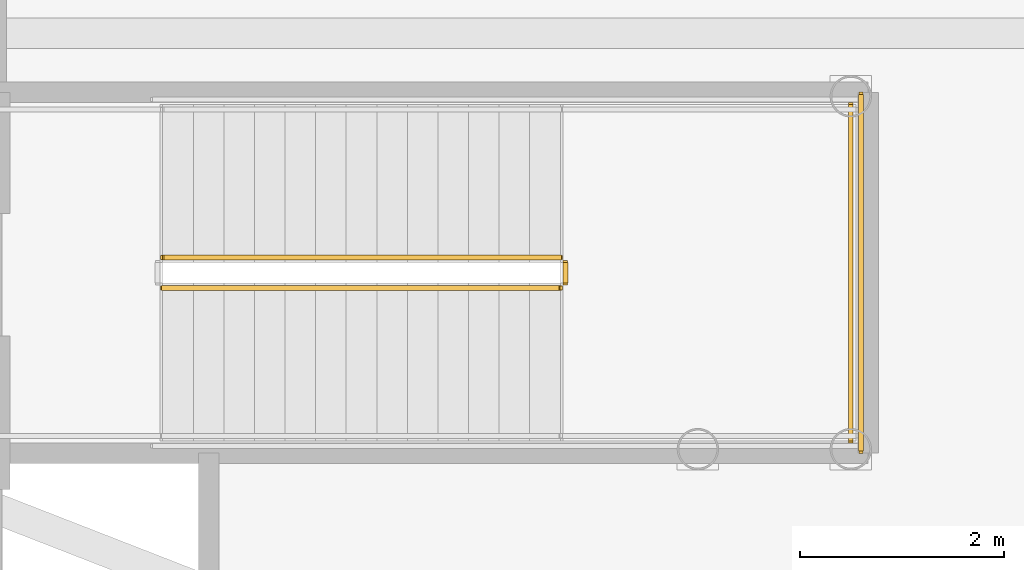
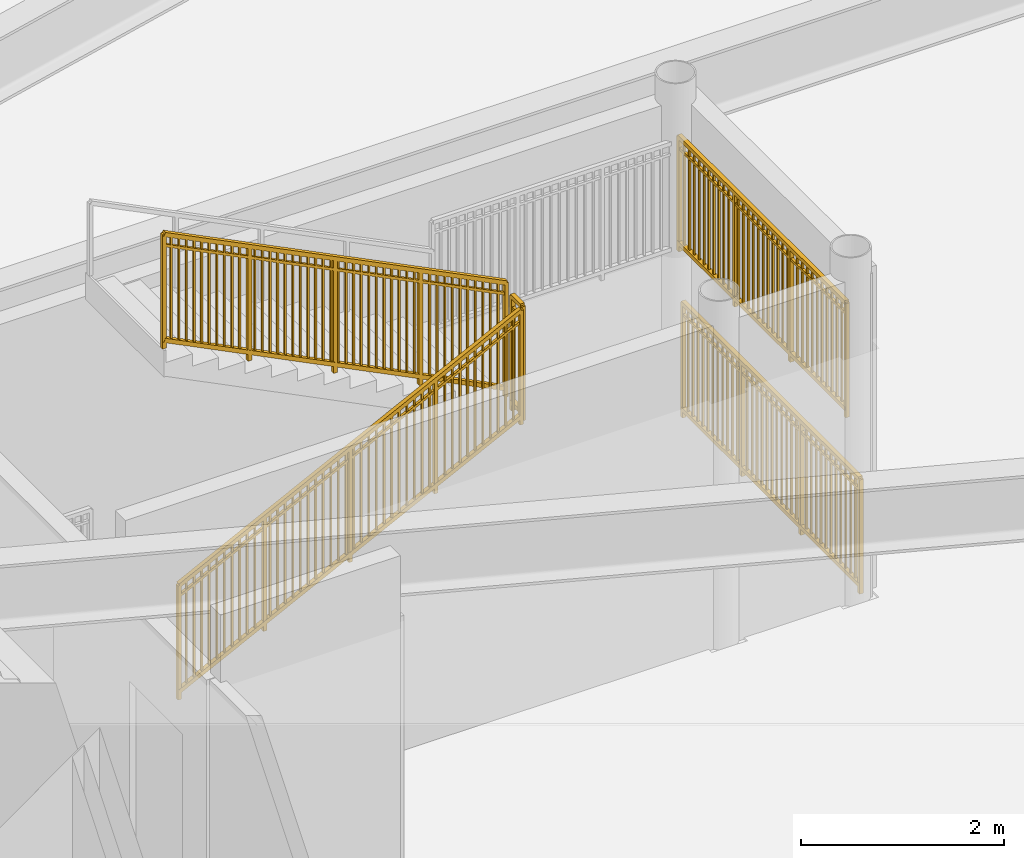
# One storey, part 28 of 30: 5 railings.
"""IFC4 building model written with IfcOpenShell, lengths in metres."""

from ifc_helpers import new_model, si_unit, direction, frame, origin, origin_2d, place, context, subcontext, project, spatial, rectangle, extrude, source, transform, mapped, material, type_object, element, save


model = new_model("IFC4")

# Units and contexts
model_context = context("Model", 3, precision=1e-05, world=origin(), true_north=direction((0.0, 1.0)))
body_context = subcontext(model_context, "Body", "Model", "MODEL_VIEW")
ifc_project = project(units=[si_unit("LENGTHUNIT", "METRE"), si_unit("AREAUNIT", "SQUARE_METRE"), si_unit("VOLUMEUNIT", "CUBIC_METRE"), si_unit("PLANEANGLEUNIT", "RADIAN"), si_unit("MASSUNIT", "GRAM", prefix="KILO")], contexts=[model_context])

# Site, building, storey
site_placement = place(None, origin())
site = spatial("IfcSite", under=ifc_project, at=site_placement, CompositionType="ELEMENT")
building_placement = place(site_placement, origin())
building = spatial("IfcBuilding", under=site, at=building_placement, Name="Linh Dai School and Residence Tower", CompositionType="ELEMENT")
storey_placement = place(building_placement, frame((0.0, 0.0, 10.199951171875)))
storey = spatial("IfcBuildingStorey", under=building, at=storey_placement, Name="L02", CompositionType="ELEMENT", Elevation=10.199951171875)

# Railings
ifc_material = material(Name="Structural Steel S355JR", Category="steel")
railing_type = type_object("IfcRailingType", Name="RL-ST-GUARD-1400", PredefinedType="GUARDRAIL", material=ifc_material)
shared_shape_1 = source(origin(), body_context, "Body", "SweptSolid", [
    extrude(rectangle(XDim=0.048095703125, YDim=0.048095703125, at=origin_2d()), frame((0.0, 0.0, 1.3759765625), z_axis=(0.894427191, 0.0, 0.4472135955), x_axis=(0.0, 1.0, 0.0)), (0.0, 0.0, 1.0), 4.360107421875),
    extrude(rectangle(XDim=0.048095703125, YDim=0.048095703125, at=origin_2d()), frame((0.0, 0.0, 0.10009765625), z_axis=(0.894427191, 0.0, 0.4472135955), x_axis=(0.0, 1.0, 0.0)), (0.0, 0.0, 1.0), 4.360107421875),
    extrude(rectangle(XDim=0.030029296875, YDim=0.030029296875, at=origin_2d()), frame((0.0, 0.0, 1.239990234375), z_axis=(0.894427191, 0.0, 0.4472135955), x_axis=(0.0, 1.0, 0.0)), (0.0, 0.0, 1.0), 4.360107421875),
    extrude(rectangle(XDim=0.02001953125, YDim=0.02001953125, at=origin_2d()), frame((0.086669921875, 0.0, 0.143310546875)), (0.0, 0.0, 1.0), 1.251708984375),
    extrude(rectangle(XDim=0.02001953125, YDim=0.02001953125, at=origin_2d()), frame((0.17333984375, 0.0, 0.186767578125)), (0.0, 0.0, 1.0), 1.251708984375),
    extrude(rectangle(XDim=0.02001953125, YDim=0.02001953125, at=origin_2d()), frame((0.260009765625, 0.0, 0.22998046875)), (0.0, 0.0, 1.0), 1.251708984375),
    extrude(rectangle(XDim=0.02001953125, YDim=0.02001953125, at=origin_2d()), frame((0.3466796875, 0.0, 0.2734375)), (0.0, 0.0, 1.0), 1.251708984375),
    extrude(rectangle(XDim=0.02001953125, YDim=0.02001953125, at=origin_2d()), frame((0.433349609375, 0.0, 0.316650390625)), (0.0, 0.0, 1.0), 1.251708984375),
    extrude(rectangle(XDim=0.02001953125, YDim=0.02001953125, at=origin_2d()), frame((0.52001953125, 0.0, 0.360107421875)), (0.0, 0.0, 1.0), 1.251708984375),
    extrude(rectangle(XDim=0.02001953125, YDim=0.02001953125, at=origin_2d()), frame((0.606689453125, 0.0, 0.4033203125)), (0.0, 0.0, 1.0), 1.251708984375),
    extrude(rectangle(XDim=0.02001953125, YDim=0.02001953125, at=origin_2d()), frame((0.693359375, 0.0, 0.44677734375)), (0.0, 0.0, 1.0), 1.251708984375),
    extrude(rectangle(XDim=0.02001953125, YDim=0.02001953125, at=origin_2d()), frame((0.780029296875, 0.0, 0.489990234375)), (0.0, 0.0, 1.0), 1.251708984375),
    extrude(rectangle(XDim=0.02001953125, YDim=0.02001953125, at=origin_2d()), frame((0.86669921875, 0.0, 0.533447265625)), (0.0, 0.0, 1.0), 1.251708984375),
    extrude(rectangle(XDim=0.02001953125, YDim=0.02001953125, at=origin_2d()), frame((1.0400390625, 0.0, 0.6201171875)), (0.0, 0.0, 1.0), 1.251708984375),
    extrude(rectangle(XDim=0.02001953125, YDim=0.02001953125, at=origin_2d()), frame((1.126708984375, 0.0, 0.663330078125)), (0.0, 0.0, 1.0), 1.251708984375),
    extrude(rectangle(XDim=0.02001953125, YDim=0.02001953125, at=origin_2d()), frame((1.21337890625, 0.0, 0.706787109375)), (0.0, 0.0, 1.0), 1.251708984375),
    extrude(rectangle(XDim=0.02001953125, YDim=0.02001953125, at=origin_2d()), frame((1.300048828125, 0.0, 0.75)), (0.0, 0.0, 1.0), 1.251708984375),
    extrude(rectangle(XDim=0.02001953125, YDim=0.02001953125, at=origin_2d()), frame((1.38671875, 0.0, 0.79345703125)), (0.0, 0.0, 1.0), 1.251708984375),
    extrude(rectangle(XDim=0.02001953125, YDim=0.02001953125, at=origin_2d()), frame((1.473388671875, 0.0, 0.836669921875)), (0.0, 0.0, 1.0), 1.251708984375),
    extrude(rectangle(XDim=0.02001953125, YDim=0.02001953125, at=origin_2d()), frame((1.56005859375, 0.0, 0.880126953125)), (0.0, 0.0, 1.0), 1.251708984375),
    extrude(rectangle(XDim=0.02001953125, YDim=0.02001953125, at=origin_2d()), frame((1.646728515625, 0.0, 0.92333984375)), (0.0, 0.0, 1.0), 1.251708984375),
    extrude(rectangle(XDim=0.02001953125, YDim=0.02001953125, at=origin_2d()), frame((1.7333984375, 0.0, 0.966796875)), (0.0, 0.0, 1.0), 1.251708984375),
    extrude(rectangle(XDim=0.02001953125, YDim=0.02001953125, at=origin_2d()), frame((1.820068359375, 0.0, 1.010009765625)), (0.0, 0.0, 1.0), 1.251708984375),
    extrude(rectangle(XDim=0.02001953125, YDim=0.02001953125, at=origin_2d()), frame((1.90673828125, 0.0, 1.053466796875)), (0.0, 0.0, 1.0), 1.251708984375),
    extrude(rectangle(XDim=0.02001953125, YDim=0.02001953125, at=origin_2d()), frame((1.9931640625, 0.0, 1.0966796875)), (0.0, 0.0, 1.0), 1.251708984375),
    extrude(rectangle(XDim=0.02001953125, YDim=0.02001953125, at=origin_2d()), frame((2.079833984375, 0.0, 1.14013671875)), (0.0, 0.0, 1.0), 1.251708984375),
    extrude(rectangle(XDim=0.02001953125, YDim=0.02001953125, at=origin_2d()), frame((2.16650390625, 0.0, 1.183349609375)), (0.0, 0.0, 1.0), 1.251708984375),
    extrude(rectangle(XDim=0.02001953125, YDim=0.02001953125, at=origin_2d()), frame((2.253173828125, 0.0, 1.226806640625)), (0.0, 0.0, 1.0), 1.251708984375),
    extrude(rectangle(XDim=0.02001953125, YDim=0.02001953125, at=origin_2d()), frame((2.33984375, 0.0, 1.27001953125)), (0.0, 0.0, 1.0), 1.251708984375),
    extrude(rectangle(XDim=0.02001953125, YDim=0.02001953125, at=origin_2d()), frame((2.426513671875, 0.0, 1.3134765625)), (0.0, 0.0, 1.0), 1.251708984375),
    extrude(rectangle(XDim=0.02001953125, YDim=0.02001953125, at=origin_2d()), frame((2.51318359375, 0.0, 1.356689453125)), (0.0, 0.0, 1.0), 1.251708984375),
    extrude(rectangle(XDim=0.02001953125, YDim=0.02001953125, at=origin_2d()), frame((2.599853515625, 0.0, 1.400146484375)), (0.0, 0.0, 1.0), 1.251708984375),
    extrude(rectangle(XDim=0.02001953125, YDim=0.02001953125, at=origin_2d()), frame((2.6865234375, 0.0, 1.443359375)), (0.0, 0.0, 1.0), 1.251708984375),
    extrude(rectangle(XDim=0.02001953125, YDim=0.02001953125, at=origin_2d()), frame((2.773193359375, 0.0, 1.48681640625)), (0.0, 0.0, 1.0), 1.251708984375),
    extrude(rectangle(XDim=0.02001953125, YDim=0.02001953125, at=origin_2d()), frame((2.85986328125, 0.0, 1.530029296875)), (0.0, 0.0, 1.0), 1.251708984375),
    extrude(rectangle(XDim=0.02001953125, YDim=0.02001953125, at=origin_2d()), frame((3.033203125, 0.0, 1.61669921875)), (0.0, 0.0, 1.0), 1.251708984375),
    extrude(rectangle(XDim=0.02001953125, YDim=0.02001953125, at=origin_2d()), frame((3.119873046875, 0.0, 1.66015625)), (0.0, 0.0, 1.0), 1.251708984375),
    extrude(rectangle(XDim=0.02001953125, YDim=0.02001953125, at=origin_2d()), frame((3.20654296875, 0.0, 1.703369140625)), (0.0, 0.0, 1.0), 1.251708984375),
    extrude(rectangle(XDim=0.02001953125, YDim=0.02001953125, at=origin_2d()), frame((3.293212890625, 0.0, 1.746826171875)), (0.0, 0.0, 1.0), 1.251708984375),
    extrude(rectangle(XDim=0.02001953125, YDim=0.02001953125, at=origin_2d()), frame((3.3798828125, 0.0, 1.7900390625)), (0.0, 0.0, 1.0), 1.251708984375),
    extrude(rectangle(XDim=0.02001953125, YDim=0.02001953125, at=origin_2d()), frame((3.466552734375, 0.0, 1.83349609375)), (0.0, 0.0, 1.0), 1.251708984375),
    extrude(rectangle(XDim=0.02001953125, YDim=0.02001953125, at=origin_2d()), frame((3.55322265625, 0.0, 1.876708984375)), (0.0, 0.0, 1.0), 1.251708984375),
    extrude(rectangle(XDim=0.02001953125, YDim=0.02001953125, at=origin_2d()), frame((3.639892578125, 0.0, 1.920166015625)), (0.0, 0.0, 1.0), 1.251708984375),
    extrude(rectangle(XDim=0.02001953125, YDim=0.02001953125, at=origin_2d()), frame((3.7265625, 0.0, 1.96337890625)), (0.0, 0.0, 1.0), 1.251708984375),
    extrude(rectangle(XDim=0.02001953125, YDim=0.02001953125, at=origin_2d()), frame((3.813232421875, 0.0, 2.0068359375)), (0.0, 0.0, 1.0), 1.251708984375),
    extrude(rectangle(XDim=0.0419921875, YDim=0.0419921875, at=origin_2d()), origin(), (0.0, 0.0, 1.0), 1.3759765625),
    extrude(rectangle(XDim=0.0419921875, YDim=0.0419921875, at=origin_2d()), frame((0.97509765625, 0.0, 0.487548828125)), (0.0, 0.0, 1.0), 1.3759765625),
    extrude(rectangle(XDim=0.0419921875, YDim=0.0419921875, at=origin_2d()), frame((1.949951171875, 0.0, 0.97509765625)), (0.0, 0.0, 1.0), 1.3759765625),
    extrude(rectangle(XDim=0.0419921875, YDim=0.0419921875, at=origin_2d()), frame((2.9248046875, 0.0, 1.46240234375)), (0.0, 0.0, 1.0), 1.3759765625),
    extrude(rectangle(XDim=0.0419921875, YDim=0.0419921875, at=origin_2d()), frame((3.89990234375, 0.0, 1.949951171875)), (0.0, 0.0, 1.0), 1.3759765625),
])
railing_1_placement = place(storey_placement, frame((49.60009765625, 24.5, 0.150146484375)))
element("IfcRailing", 1, at=railing_1_placement, inside=storey, type_object=railing_type, Name="L02 STS2 stair guard 1", PredefinedType="GUARDRAIL", context=body_context, shape_type="MappedRepresentation", body=[
    mapped(shared_shape_1, transform((0.0, 0.0, 0.0), x_axis=(1.0, 0.0, 0.0), y_axis=(0.0, 1.0, 0.0), z_axis=(0.0, 0.0, 1.0), scale=1.0)),
])
shared_shape_2 = source(origin(), body_context, "Body", "SweptSolid", [
    extrude(rectangle(XDim=0.048095703125, YDim=0.048095703125, at=origin_2d()), frame((0.0, 0.0, 1.3759765625), z_axis=(-0.894427191, 0.0, 0.4472135955), x_axis=(0.0, -1.0, 0.0)), (0.0, 0.0, 1.0), 4.360107421875),
    extrude(rectangle(XDim=0.048095703125, YDim=0.048095703125, at=origin_2d()), frame((0.0, 0.0, 0.10009765625), z_axis=(-0.894427191, 0.0, 0.4472135955), x_axis=(0.0, -1.0, 0.0)), (0.0, 0.0, 1.0), 4.360107421875),
    extrude(rectangle(XDim=0.030029296875, YDim=0.030029296875, at=origin_2d()), frame((0.0, 0.0, 1.239990234375), z_axis=(-0.894427191, 0.0, 0.4472135955), x_axis=(0.0, -1.0, 0.0)), (0.0, 0.0, 1.0), 4.360107421875),
    extrude(rectangle(XDim=0.02001953125, YDim=0.02001953125, at=origin_2d()), frame((-0.086669921875, 0.0, 0.143310546875)), (0.0, 0.0, 1.0), 1.251708984375),
    extrude(rectangle(XDim=0.02001953125, YDim=0.02001953125, at=origin_2d()), frame((-0.17333984375, 0.0, 0.186767578125)), (0.0, 0.0, 1.0), 1.251708984375),
    extrude(rectangle(XDim=0.02001953125, YDim=0.02001953125, at=origin_2d()), frame((-0.260009765625, 0.0, 0.22998046875)), (0.0, 0.0, 1.0), 1.251708984375),
    extrude(rectangle(XDim=0.02001953125, YDim=0.02001953125, at=origin_2d()), frame((-0.3466796875, 0.0, 0.2734375)), (0.0, 0.0, 1.0), 1.251708984375),
    extrude(rectangle(XDim=0.02001953125, YDim=0.02001953125, at=origin_2d()), frame((-0.433349609375, 0.0, 0.316650390625)), (0.0, 0.0, 1.0), 1.251708984375),
    extrude(rectangle(XDim=0.02001953125, YDim=0.02001953125, at=origin_2d()), frame((-0.52001953125, 0.0, 0.360107421875)), (0.0, 0.0, 1.0), 1.251708984375),
    extrude(rectangle(XDim=0.02001953125, YDim=0.02001953125, at=origin_2d()), frame((-0.606689453125, 0.0, 0.4033203125)), (0.0, 0.0, 1.0), 1.251708984375),
    extrude(rectangle(XDim=0.02001953125, YDim=0.02001953125, at=origin_2d()), frame((-0.693359375, 0.0, 0.44677734375)), (0.0, 0.0, 1.0), 1.251708984375),
    extrude(rectangle(XDim=0.02001953125, YDim=0.02001953125, at=origin_2d()), frame((-0.780029296875, 0.0, 0.489990234375)), (0.0, 0.0, 1.0), 1.251708984375),
    extrude(rectangle(XDim=0.02001953125, YDim=0.02001953125, at=origin_2d()), frame((-0.86669921875, 0.0, 0.533447265625)), (0.0, 0.0, 1.0), 1.251708984375),
    extrude(rectangle(XDim=0.02001953125, YDim=0.02001953125, at=origin_2d()), frame((-1.0400390625, 0.0, 0.6201171875)), (0.0, 0.0, 1.0), 1.251708984375),
    extrude(rectangle(XDim=0.02001953125, YDim=0.02001953125, at=origin_2d()), frame((-1.126708984375, 0.0, 0.663330078125)), (0.0, 0.0, 1.0), 1.251708984375),
    extrude(rectangle(XDim=0.02001953125, YDim=0.02001953125, at=origin_2d()), frame((-1.21337890625, 0.0, 0.706787109375)), (0.0, 0.0, 1.0), 1.251708984375),
    extrude(rectangle(XDim=0.02001953125, YDim=0.02001953125, at=origin_2d()), frame((-1.300048828125, 0.0, 0.75)), (0.0, 0.0, 1.0), 1.251708984375),
    extrude(rectangle(XDim=0.02001953125, YDim=0.02001953125, at=origin_2d()), frame((-1.38671875, 0.0, 0.79345703125)), (0.0, 0.0, 1.0), 1.251708984375),
    extrude(rectangle(XDim=0.02001953125, YDim=0.02001953125, at=origin_2d()), frame((-1.473388671875, 0.0, 0.836669921875)), (0.0, 0.0, 1.0), 1.251708984375),
    extrude(rectangle(XDim=0.02001953125, YDim=0.02001953125, at=origin_2d()), frame((-1.56005859375, 0.0, 0.880126953125)), (0.0, 0.0, 1.0), 1.251708984375),
    extrude(rectangle(XDim=0.02001953125, YDim=0.02001953125, at=origin_2d()), frame((-1.646728515625, 0.0, 0.92333984375)), (0.0, 0.0, 1.0), 1.251708984375),
    extrude(rectangle(XDim=0.02001953125, YDim=0.02001953125, at=origin_2d()), frame((-1.7333984375, 0.0, 0.966796875)), (0.0, 0.0, 1.0), 1.251708984375),
    extrude(rectangle(XDim=0.02001953125, YDim=0.02001953125, at=origin_2d()), frame((-1.820068359375, 0.0, 1.010009765625)), (0.0, 0.0, 1.0), 1.251708984375),
    extrude(rectangle(XDim=0.02001953125, YDim=0.02001953125, at=origin_2d()), frame((-1.90673828125, 0.0, 1.053466796875)), (0.0, 0.0, 1.0), 1.251708984375),
    extrude(rectangle(XDim=0.02001953125, YDim=0.02001953125, at=origin_2d()), frame((-1.9931640625, 0.0, 1.0966796875)), (0.0, 0.0, 1.0), 1.251708984375),
    extrude(rectangle(XDim=0.02001953125, YDim=0.02001953125, at=origin_2d()), frame((-2.079833984375, 0.0, 1.14013671875)), (0.0, 0.0, 1.0), 1.251708984375),
    extrude(rectangle(XDim=0.02001953125, YDim=0.02001953125, at=origin_2d()), frame((-2.16650390625, 0.0, 1.183349609375)), (0.0, 0.0, 1.0), 1.251708984375),
    extrude(rectangle(XDim=0.02001953125, YDim=0.02001953125, at=origin_2d()), frame((-2.253173828125, 0.0, 1.226806640625)), (0.0, 0.0, 1.0), 1.251708984375),
    extrude(rectangle(XDim=0.02001953125, YDim=0.02001953125, at=origin_2d()), frame((-2.33984375, 0.0, 1.27001953125)), (0.0, 0.0, 1.0), 1.251708984375),
    extrude(rectangle(XDim=0.02001953125, YDim=0.02001953125, at=origin_2d()), frame((-2.426513671875, 0.0, 1.3134765625)), (0.0, 0.0, 1.0), 1.251708984375),
    extrude(rectangle(XDim=0.02001953125, YDim=0.02001953125, at=origin_2d()), frame((-2.51318359375, 0.0, 1.356689453125)), (0.0, 0.0, 1.0), 1.251708984375),
    extrude(rectangle(XDim=0.02001953125, YDim=0.02001953125, at=origin_2d()), frame((-2.599853515625, 0.0, 1.400146484375)), (0.0, 0.0, 1.0), 1.251708984375),
    extrude(rectangle(XDim=0.02001953125, YDim=0.02001953125, at=origin_2d()), frame((-2.6865234375, 0.0, 1.443359375)), (0.0, 0.0, 1.0), 1.251708984375),
    extrude(rectangle(XDim=0.02001953125, YDim=0.02001953125, at=origin_2d()), frame((-2.773193359375, 0.0, 1.48681640625)), (0.0, 0.0, 1.0), 1.251708984375),
    extrude(rectangle(XDim=0.02001953125, YDim=0.02001953125, at=origin_2d()), frame((-2.85986328125, 0.0, 1.530029296875)), (0.0, 0.0, 1.0), 1.251708984375),
    extrude(rectangle(XDim=0.02001953125, YDim=0.02001953125, at=origin_2d()), frame((-3.033203125, 0.0, 1.61669921875)), (0.0, 0.0, 1.0), 1.251708984375),
    extrude(rectangle(XDim=0.02001953125, YDim=0.02001953125, at=origin_2d()), frame((-3.119873046875, 0.0, 1.66015625)), (0.0, 0.0, 1.0), 1.251708984375),
    extrude(rectangle(XDim=0.02001953125, YDim=0.02001953125, at=origin_2d()), frame((-3.20654296875, 0.0, 1.703369140625)), (0.0, 0.0, 1.0), 1.251708984375),
    extrude(rectangle(XDim=0.02001953125, YDim=0.02001953125, at=origin_2d()), frame((-3.293212890625, 0.0, 1.746826171875)), (0.0, 0.0, 1.0), 1.251708984375),
    extrude(rectangle(XDim=0.02001953125, YDim=0.02001953125, at=origin_2d()), frame((-3.3798828125, 0.0, 1.7900390625)), (0.0, 0.0, 1.0), 1.251708984375),
    extrude(rectangle(XDim=0.02001953125, YDim=0.02001953125, at=origin_2d()), frame((-3.466552734375, 0.0, 1.83349609375)), (0.0, 0.0, 1.0), 1.251708984375),
    extrude(rectangle(XDim=0.02001953125, YDim=0.02001953125, at=origin_2d()), frame((-3.55322265625, 0.0, 1.876708984375)), (0.0, 0.0, 1.0), 1.251708984375),
    extrude(rectangle(XDim=0.02001953125, YDim=0.02001953125, at=origin_2d()), frame((-3.639892578125, 0.0, 1.920166015625)), (0.0, 0.0, 1.0), 1.251708984375),
    extrude(rectangle(XDim=0.02001953125, YDim=0.02001953125, at=origin_2d()), frame((-3.7265625, 0.0, 1.96337890625)), (0.0, 0.0, 1.0), 1.251708984375),
    extrude(rectangle(XDim=0.02001953125, YDim=0.02001953125, at=origin_2d()), frame((-3.813232421875, 0.0, 2.0068359375)), (0.0, 0.0, 1.0), 1.251708984375),
    extrude(rectangle(XDim=0.0419921875, YDim=0.0419921875, at=origin_2d()), origin(), (0.0, 0.0, 1.0), 1.3759765625),
    extrude(rectangle(XDim=0.0419921875, YDim=0.0419921875, at=origin_2d()), frame((-0.97509765625, 0.0, 0.487548828125)), (0.0, 0.0, 1.0), 1.3759765625),
    extrude(rectangle(XDim=0.0419921875, YDim=0.0419921875, at=origin_2d()), frame((-1.949951171875, 0.0, 0.97509765625)), (0.0, 0.0, 1.0), 1.3759765625),
    extrude(rectangle(XDim=0.0419921875, YDim=0.0419921875, at=origin_2d()), frame((-2.9248046875, 0.0, 1.46240234375)), (0.0, 0.0, 1.0), 1.3759765625),
    extrude(rectangle(XDim=0.0419921875, YDim=0.0419921875, at=origin_2d()), frame((-3.89990234375, 0.0, 1.949951171875)), (0.0, 0.0, 1.0), 1.3759765625),
])
railing_2_placement = place(storey_placement, frame((53.5, 24.800048828125, 2.25)))
element("IfcRailing", 2, at=railing_2_placement, inside=storey, type_object=railing_type, Name="L02 STS2 stair guard 6", PredefinedType="GUARDRAIL", context=body_context, shape_type="MappedRepresentation", body=[
    mapped(shared_shape_2, transform((0.0, 0.0, 0.0), x_axis=(1.0, 0.0, 0.0), y_axis=(0.0, 1.0, 0.0), z_axis=(0.0, 0.0, 1.0), scale=1.0)),
])
shared_shape_3 = source(origin(), body_context, "Body", "SweptSolid", [
    extrude(rectangle(XDim=0.048095703125, YDim=0.048095703125, at=origin_2d()), frame((0.0, 0.0, 1.3759765625), z_axis=(0.0, 1.0, 0.0), x_axis=(-1.0, 0.0, 0.0)), (0.0, 0.0, 1.0), 0.199951171875),
    extrude(rectangle(XDim=0.048095703125, YDim=0.048095703125, at=origin_2d()), frame((0.0, 0.0, 0.10009765625), z_axis=(0.0, 1.0, 0.0), x_axis=(-1.0, 0.0, 0.0)), (0.0, 0.0, 1.0), 0.199951171875),
    extrude(rectangle(XDim=0.030029296875, YDim=0.030029296875, at=origin_2d()), frame((0.0, 0.0, 1.239990234375), z_axis=(0.0, 1.0, 0.0), x_axis=(-1.0, 0.0, 0.0)), (0.0, 0.0, 1.0), 0.199951171875),
    extrude(rectangle(XDim=0.0419921875, YDim=0.0419921875, at=origin_2d()), origin(), (0.0, 0.0, 1.0), 1.3759765625),
    extrude(rectangle(XDim=0.0419921875, YDim=0.0419921875, at=origin_2d()), frame((0.0, 0.199951171875, 0.0)), (0.0, 0.0, 1.0), 1.3759765625),
])
railing_3_placement = place(storey_placement, frame((53.550048828125, 24.550048828125, 2.10009765625)))
element("IfcRailing", 3, at=railing_3_placement, inside=storey, type_object=railing_type, Name="L02 STS2 stair guard 2", PredefinedType="GUARDRAIL", context=body_context, shape_type="MappedRepresentation", body=[
    mapped(shared_shape_3, transform((0.0, 0.0, 0.0), x_axis=(1.0, 0.0, 0.0), y_axis=(0.0, 1.0, 0.0), z_axis=(0.0, 0.0, 1.0), scale=1.0)),
])
shared_shape_4 = source(origin(), body_context, "Body", "SweptSolid", [
    extrude(rectangle(XDim=0.048095703125, YDim=0.048095703125, at=origin_2d()), frame((0.0, 0.0, 1.3759765625), z_axis=(0.0, 1.0, 0.0), x_axis=(-1.0, 0.0, 0.0)), (0.0, 0.0, 1.0), 3.300048828125),
    extrude(rectangle(XDim=0.048095703125, YDim=0.048095703125, at=origin_2d()), frame((0.0, 0.0, 0.10009765625), z_axis=(0.0, 1.0, 0.0), x_axis=(-1.0, 0.0, 0.0)), (0.0, 0.0, 1.0), 3.300048828125),
    extrude(rectangle(XDim=0.030029296875, YDim=0.030029296875, at=origin_2d()), frame((0.0, 0.0, 1.239990234375), z_axis=(0.0, 1.0, 0.0), x_axis=(-1.0, 0.0, 0.0)), (0.0, 0.0, 1.0), 3.300048828125),
    extrude(rectangle(XDim=0.02001953125, YDim=0.02001953125, at=origin_2d()), frame((0.0, 0.09716796875, 0.10009765625)), (0.0, 0.0, 1.0), 1.251708984375),
    extrude(rectangle(XDim=0.02001953125, YDim=0.02001953125, at=origin_2d()), frame((0.0, 0.194091796875, 0.10009765625)), (0.0, 0.0, 1.0), 1.251708984375),
    extrude(rectangle(XDim=0.02001953125, YDim=0.02001953125, at=origin_2d()), frame((0.0, 0.291259765625, 0.10009765625)), (0.0, 0.0, 1.0), 1.251708984375),
    extrude(rectangle(XDim=0.02001953125, YDim=0.02001953125, at=origin_2d()), frame((0.0, 0.38818359375, 0.10009765625)), (0.0, 0.0, 1.0), 1.251708984375),
    extrude(rectangle(XDim=0.02001953125, YDim=0.02001953125, at=origin_2d()), frame((0.0, 0.4853515625, 0.10009765625)), (0.0, 0.0, 1.0), 1.251708984375),
    extrude(rectangle(XDim=0.02001953125, YDim=0.02001953125, at=origin_2d()), frame((0.0, 0.582275390625, 0.10009765625)), (0.0, 0.0, 1.0), 1.251708984375),
    extrude(rectangle(XDim=0.02001953125, YDim=0.02001953125, at=origin_2d()), frame((0.0, 0.679443359375, 0.10009765625)), (0.0, 0.0, 1.0), 1.251708984375),
    extrude(rectangle(XDim=0.02001953125, YDim=0.02001953125, at=origin_2d()), frame((0.0, 0.7763671875, 0.10009765625)), (0.0, 0.0, 1.0), 1.251708984375),
    extrude(rectangle(XDim=0.02001953125, YDim=0.02001953125, at=origin_2d()), frame((0.0, 0.87353515625, 0.10009765625)), (0.0, 0.0, 1.0), 1.251708984375),
    extrude(rectangle(XDim=0.02001953125, YDim=0.02001953125, at=origin_2d()), frame((0.0, 0.970703125, 0.10009765625)), (0.0, 0.0, 1.0), 1.251708984375),
    extrude(rectangle(XDim=0.02001953125, YDim=0.02001953125, at=origin_2d()), frame((0.0, 1.164794921875, 0.10009765625)), (0.0, 0.0, 1.0), 1.251708984375),
    extrude(rectangle(XDim=0.02001953125, YDim=0.02001953125, at=origin_2d()), frame((0.0, 1.26171875, 0.10009765625)), (0.0, 0.0, 1.0), 1.251708984375),
    extrude(rectangle(XDim=0.02001953125, YDim=0.02001953125, at=origin_2d()), frame((0.0, 1.35888671875, 0.10009765625)), (0.0, 0.0, 1.0), 1.251708984375),
    extrude(rectangle(XDim=0.02001953125, YDim=0.02001953125, at=origin_2d()), frame((0.0, 1.455810546875, 0.10009765625)), (0.0, 0.0, 1.0), 1.251708984375),
    extrude(rectangle(XDim=0.02001953125, YDim=0.02001953125, at=origin_2d()), frame((0.0, 1.552978515625, 0.10009765625)), (0.0, 0.0, 1.0), 1.251708984375),
    extrude(rectangle(XDim=0.02001953125, YDim=0.02001953125, at=origin_2d()), frame((0.0, 1.64990234375, 0.10009765625)), (0.0, 0.0, 1.0), 1.251708984375),
    extrude(rectangle(XDim=0.02001953125, YDim=0.02001953125, at=origin_2d()), frame((0.0, 1.7470703125, 0.10009765625)), (0.0, 0.0, 1.0), 1.251708984375),
    extrude(rectangle(XDim=0.02001953125, YDim=0.02001953125, at=origin_2d()), frame((0.0, 1.84423828125, 0.10009765625)), (0.0, 0.0, 1.0), 1.251708984375),
    extrude(rectangle(XDim=0.02001953125, YDim=0.02001953125, at=origin_2d()), frame((0.0, 1.941162109375, 0.10009765625)), (0.0, 0.0, 1.0), 1.251708984375),
    extrude(rectangle(XDim=0.02001953125, YDim=0.02001953125, at=origin_2d()), frame((0.0, 2.038330078125, 0.10009765625)), (0.0, 0.0, 1.0), 1.251708984375),
    extrude(rectangle(XDim=0.02001953125, YDim=0.02001953125, at=origin_2d()), frame((0.0, 2.13525390625, 0.10009765625)), (0.0, 0.0, 1.0), 1.251708984375),
    extrude(rectangle(XDim=0.02001953125, YDim=0.02001953125, at=origin_2d()), frame((0.0, 2.329345703125, 0.10009765625)), (0.0, 0.0, 1.0), 1.251708984375),
    extrude(rectangle(XDim=0.02001953125, YDim=0.02001953125, at=origin_2d()), frame((0.0, 2.426513671875, 0.10009765625)), (0.0, 0.0, 1.0), 1.251708984375),
    extrude(rectangle(XDim=0.02001953125, YDim=0.02001953125, at=origin_2d()), frame((0.0, 2.523681640625, 0.10009765625)), (0.0, 0.0, 1.0), 1.251708984375),
    extrude(rectangle(XDim=0.02001953125, YDim=0.02001953125, at=origin_2d()), frame((0.0, 2.62060546875, 0.10009765625)), (0.0, 0.0, 1.0), 1.251708984375),
    extrude(rectangle(XDim=0.02001953125, YDim=0.02001953125, at=origin_2d()), frame((0.0, 2.7177734375, 0.10009765625)), (0.0, 0.0, 1.0), 1.251708984375),
    extrude(rectangle(XDim=0.02001953125, YDim=0.02001953125, at=origin_2d()), frame((0.0, 2.814697265625, 0.10009765625)), (0.0, 0.0, 1.0), 1.251708984375),
    extrude(rectangle(XDim=0.02001953125, YDim=0.02001953125, at=origin_2d()), frame((0.0, 2.911865234375, 0.10009765625)), (0.0, 0.0, 1.0), 1.251708984375),
    extrude(rectangle(XDim=0.02001953125, YDim=0.02001953125, at=origin_2d()), frame((0.0, 3.0087890625, 0.10009765625)), (0.0, 0.0, 1.0), 1.251708984375),
    extrude(rectangle(XDim=0.02001953125, YDim=0.02001953125, at=origin_2d()), frame((0.0, 3.10595703125, 0.10009765625)), (0.0, 0.0, 1.0), 1.251708984375),
    extrude(rectangle(XDim=0.02001953125, YDim=0.02001953125, at=origin_2d()), frame((0.0, 3.202880859375, 0.10009765625)), (0.0, 0.0, 1.0), 1.251708984375),
    extrude(rectangle(XDim=0.0419921875, YDim=0.0419921875, at=origin_2d()), origin(), (0.0, 0.0, 1.0), 1.3759765625),
    extrude(rectangle(XDim=0.0419921875, YDim=0.0419921875, at=origin_2d()), frame((0.0, 1.10009765625, 0.0)), (0.0, 0.0, 1.0), 1.3759765625),
    extrude(rectangle(XDim=0.0419921875, YDim=0.0419921875, at=origin_2d()), frame((0.0, 2.199951171875, 0.0)), (0.0, 0.0, 1.0), 1.3759765625),
    extrude(rectangle(XDim=0.0419921875, YDim=0.0419921875, at=origin_2d()), frame((0.0, 3.300048828125, 0.0)), (0.0, 0.0, 1.0), 1.3759765625),
])
railing_4_placement = place(storey_placement, frame((56.35009765625, 23.0, 2.10009765625)))
element("IfcRailing", 4, at=railing_4_placement, inside=storey, type_object=railing_type, Name="L02 STS2 stair guard 5", PredefinedType="GUARDRAIL", context=body_context, shape_type="MappedRepresentation", body=[
    mapped(shared_shape_4, transform((0.0, 0.0, 0.0), x_axis=(1.0, 0.0, 0.0), y_axis=(0.0, 1.0, 0.0), z_axis=(0.0, 0.0, 1.0), scale=1.0)),
])
shared_shape_5 = source(origin(), body_context, "Body", "SweptSolid", [
    extrude(rectangle(XDim=0.048095703125, YDim=0.048095703125, at=origin_2d()), frame((0.0, 0.0, 1.3759765625), z_axis=(0.0, 1.0, 0.0), x_axis=(-1.0, 0.0, 0.0)), (0.0, 0.0, 1.0), 3.5),
    extrude(rectangle(XDim=0.048095703125, YDim=0.048095703125, at=origin_2d()), frame((0.0, 0.0, 0.10009765625), z_axis=(0.0, 1.0, 0.0), x_axis=(-1.0, 0.0, 0.0)), (0.0, 0.0, 1.0), 3.5),
    extrude(rectangle(XDim=0.030029296875, YDim=0.030029296875, at=origin_2d()), frame((0.0, 0.0, 1.239990234375), z_axis=(0.0, 1.0, 0.0), x_axis=(-1.0, 0.0, 0.0)), (0.0, 0.0, 1.0), 3.5),
    extrude(rectangle(XDim=0.02001953125, YDim=0.02001953125, at=origin_2d()), frame((0.0, 0.09716796875, 0.10009765625)), (0.0, 0.0, 1.0), 1.251708984375),
    extrude(rectangle(XDim=0.02001953125, YDim=0.02001953125, at=origin_2d()), frame((0.0, 0.1943359375, 0.10009765625)), (0.0, 0.0, 1.0), 1.251708984375),
    extrude(rectangle(XDim=0.02001953125, YDim=0.02001953125, at=origin_2d()), frame((0.0, 0.291748046875, 0.10009765625)), (0.0, 0.0, 1.0), 1.251708984375),
    extrude(rectangle(XDim=0.02001953125, YDim=0.02001953125, at=origin_2d()), frame((0.0, 0.388916015625, 0.10009765625)), (0.0, 0.0, 1.0), 1.251708984375),
    extrude(rectangle(XDim=0.02001953125, YDim=0.02001953125, at=origin_2d()), frame((0.0, 0.486083984375, 0.10009765625)), (0.0, 0.0, 1.0), 1.251708984375),
    extrude(rectangle(XDim=0.02001953125, YDim=0.02001953125, at=origin_2d()), frame((0.0, 0.583251953125, 0.10009765625)), (0.0, 0.0, 1.0), 1.251708984375),
    extrude(rectangle(XDim=0.02001953125, YDim=0.02001953125, at=origin_2d()), frame((0.0, 0.6806640625, 0.10009765625)), (0.0, 0.0, 1.0), 1.251708984375),
    extrude(rectangle(XDim=0.02001953125, YDim=0.02001953125, at=origin_2d()), frame((0.0, 0.77783203125, 0.10009765625)), (0.0, 0.0, 1.0), 1.251708984375),
    extrude(rectangle(XDim=0.02001953125, YDim=0.02001953125, at=origin_2d()), frame((0.0, 0.875, 0.10009765625)), (0.0, 0.0, 1.0), 1.251708984375),
    extrude(rectangle(XDim=0.02001953125, YDim=0.02001953125, at=origin_2d()), frame((0.0, 0.97216796875, 0.10009765625)), (0.0, 0.0, 1.0), 1.251708984375),
    extrude(rectangle(XDim=0.02001953125, YDim=0.02001953125, at=origin_2d()), frame((0.0, 1.0693359375, 0.10009765625)), (0.0, 0.0, 1.0), 1.251708984375),
    extrude(rectangle(XDim=0.02001953125, YDim=0.02001953125, at=origin_2d()), frame((0.0, 1.263916015625, 0.10009765625)), (0.0, 0.0, 1.0), 1.251708984375),
    extrude(rectangle(XDim=0.02001953125, YDim=0.02001953125, at=origin_2d()), frame((0.0, 1.361083984375, 0.10009765625)), (0.0, 0.0, 1.0), 1.251708984375),
    extrude(rectangle(XDim=0.02001953125, YDim=0.02001953125, at=origin_2d()), frame((0.0, 1.458251953125, 0.10009765625)), (0.0, 0.0, 1.0), 1.251708984375),
    extrude(rectangle(XDim=0.02001953125, YDim=0.02001953125, at=origin_2d()), frame((0.0, 1.5556640625, 0.10009765625)), (0.0, 0.0, 1.0), 1.251708984375),
    extrude(rectangle(XDim=0.02001953125, YDim=0.02001953125, at=origin_2d()), frame((0.0, 1.65283203125, 0.10009765625)), (0.0, 0.0, 1.0), 1.251708984375),
    extrude(rectangle(XDim=0.02001953125, YDim=0.02001953125, at=origin_2d()), frame((0.0, 1.75, 0.10009765625)), (0.0, 0.0, 1.0), 1.251708984375),
    extrude(rectangle(XDim=0.02001953125, YDim=0.02001953125, at=origin_2d()), frame((0.0, 1.84716796875, 0.10009765625)), (0.0, 0.0, 1.0), 1.251708984375),
    extrude(rectangle(XDim=0.02001953125, YDim=0.02001953125, at=origin_2d()), frame((0.0, 1.9443359375, 0.10009765625)), (0.0, 0.0, 1.0), 1.251708984375),
    extrude(rectangle(XDim=0.02001953125, YDim=0.02001953125, at=origin_2d()), frame((0.0, 2.041748046875, 0.10009765625)), (0.0, 0.0, 1.0), 1.251708984375),
    extrude(rectangle(XDim=0.02001953125, YDim=0.02001953125, at=origin_2d()), frame((0.0, 2.138916015625, 0.10009765625)), (0.0, 0.0, 1.0), 1.251708984375),
    extrude(rectangle(XDim=0.02001953125, YDim=0.02001953125, at=origin_2d()), frame((0.0, 2.236083984375, 0.10009765625)), (0.0, 0.0, 1.0), 1.251708984375),
    extrude(rectangle(XDim=0.02001953125, YDim=0.02001953125, at=origin_2d()), frame((0.0, 2.4306640625, 0.10009765625)), (0.0, 0.0, 1.0), 1.251708984375),
    extrude(rectangle(XDim=0.02001953125, YDim=0.02001953125, at=origin_2d()), frame((0.0, 2.52783203125, 0.10009765625)), (0.0, 0.0, 1.0), 1.251708984375),
    extrude(rectangle(XDim=0.02001953125, YDim=0.02001953125, at=origin_2d()), frame((0.0, 2.625, 0.10009765625)), (0.0, 0.0, 1.0), 1.251708984375),
    extrude(rectangle(XDim=0.02001953125, YDim=0.02001953125, at=origin_2d()), frame((0.0, 2.72216796875, 0.10009765625)), (0.0, 0.0, 1.0), 1.251708984375),
    extrude(rectangle(XDim=0.02001953125, YDim=0.02001953125, at=origin_2d()), frame((0.0, 2.8193359375, 0.10009765625)), (0.0, 0.0, 1.0), 1.251708984375),
    extrude(rectangle(XDim=0.02001953125, YDim=0.02001953125, at=origin_2d()), frame((0.0, 2.916748046875, 0.10009765625)), (0.0, 0.0, 1.0), 1.251708984375),
    extrude(rectangle(XDim=0.02001953125, YDim=0.02001953125, at=origin_2d()), frame((0.0, 3.013916015625, 0.10009765625)), (0.0, 0.0, 1.0), 1.251708984375),
    extrude(rectangle(XDim=0.02001953125, YDim=0.02001953125, at=origin_2d()), frame((0.0, 3.111083984375, 0.10009765625)), (0.0, 0.0, 1.0), 1.251708984375),
    extrude(rectangle(XDim=0.02001953125, YDim=0.02001953125, at=origin_2d()), frame((0.0, 3.208251953125, 0.10009765625)), (0.0, 0.0, 1.0), 1.251708984375),
    extrude(rectangle(XDim=0.02001953125, YDim=0.02001953125, at=origin_2d()), frame((0.0, 3.3056640625, 0.10009765625)), (0.0, 0.0, 1.0), 1.251708984375),
    extrude(rectangle(XDim=0.02001953125, YDim=0.02001953125, at=origin_2d()), frame((0.0, 3.40283203125, 0.10009765625)), (0.0, 0.0, 1.0), 1.251708984375),
    extrude(rectangle(XDim=0.0419921875, YDim=0.0419921875, at=origin_2d()), origin(), (0.0, 0.0, 1.0), 1.3759765625),
    extrude(rectangle(XDim=0.0419921875, YDim=0.0419921875, at=origin_2d()), frame((0.0, 1.166748046875, 0.0)), (0.0, 0.0, 1.0), 1.3759765625),
    extrude(rectangle(XDim=0.0419921875, YDim=0.0419921875, at=origin_2d()), frame((0.0, 2.333251953125, 0.0)), (0.0, 0.0, 1.0), 1.3759765625),
    extrude(rectangle(XDim=0.0419921875, YDim=0.0419921875, at=origin_2d()), frame((0.0, 3.5, 0.0)), (0.0, 0.0, 1.0), 1.3759765625),
])
railing_5_placement = place(storey_placement, frame((56.449951171875, 22.89990234375, 0.0)))
element("IfcRailing", 5, at=railing_5_placement, inside=storey, type_object=railing_type, Name="L02 STS2 stair guard 12", PredefinedType="GUARDRAIL", context=body_context, shape_type="MappedRepresentation", body=[
    mapped(shared_shape_5, transform((0.0, 0.0, 0.0), x_axis=(1.0, 0.0, 0.0), y_axis=(0.0, 1.0, 0.0), z_axis=(0.0, 0.0, 1.0), scale=1.0)),
])

save(model, "model.ifc")
